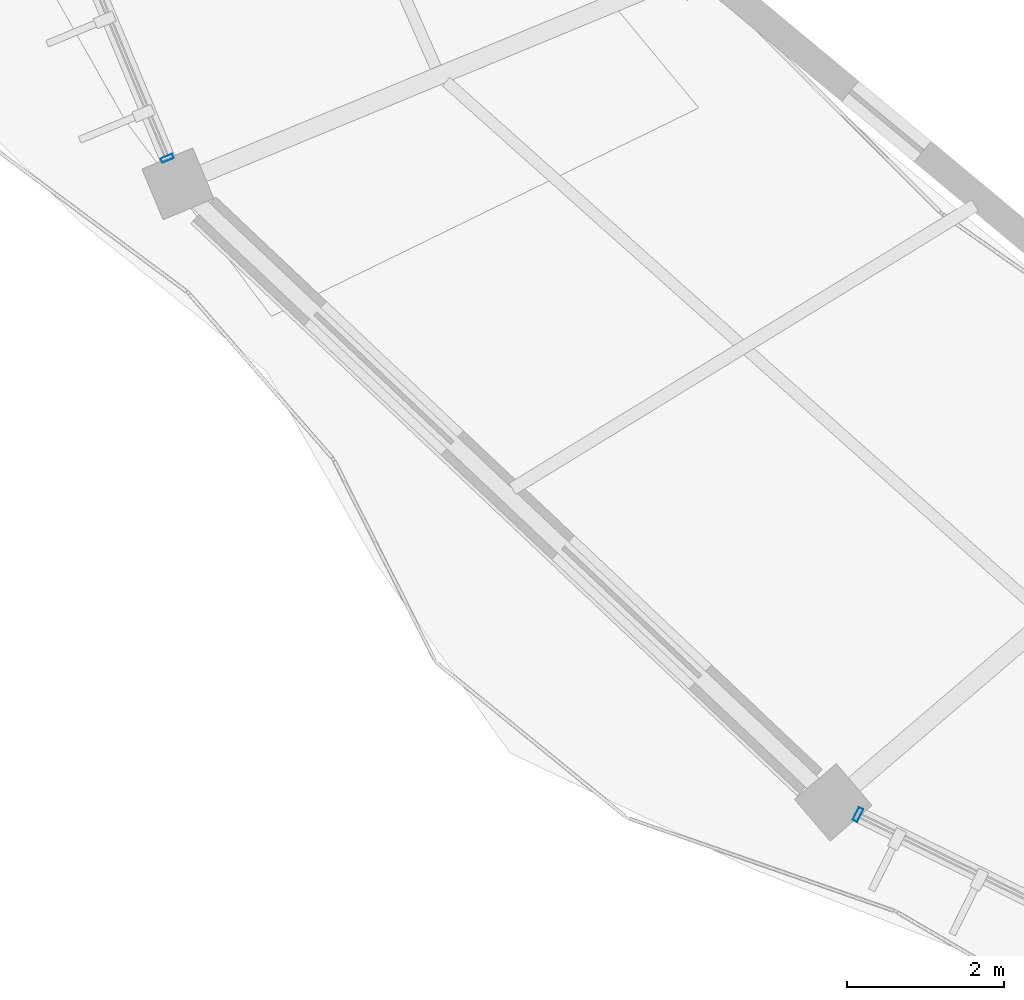
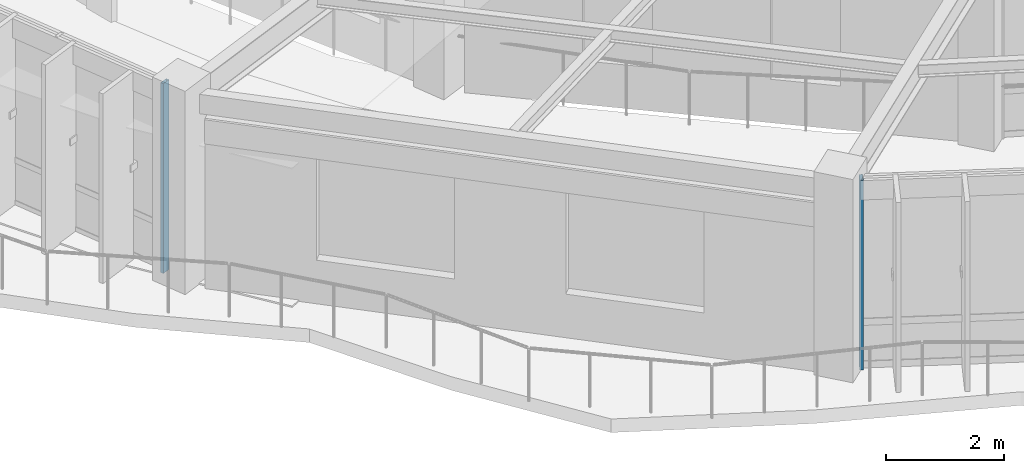
# One storey, part 33 of 138: 2 members, 2 elements without a shape of their own.
"""IFC4 building model written with IfcOpenShell, lengths in metres."""

from ifc_helpers import new_model, si_unit, direction, frame, origin, origin_2d, place, context, subcontext, project, spatial, hollow_rectangle, extrude, material, material_profile, profile_set, type_object, element, aggregate, save


model = new_model("IFC4")

# Units and contexts
model_context = context("Model", 3, precision=1e-05, world=origin(), true_north=direction((0.0, 1.0)))
body_context = subcontext(model_context, "Body", "Model", "MODEL_VIEW")
ifc_project = project(units=[si_unit("LENGTHUNIT", "METRE"), si_unit("AREAUNIT", "SQUARE_METRE"), si_unit("VOLUMEUNIT", "CUBIC_METRE"), si_unit("PLANEANGLEUNIT", "RADIAN"), si_unit("MASSUNIT", "GRAM", prefix="KILO"), si_unit("THERMODYNAMICTEMPERATUREUNIT", "KELVIN"), si_unit("POWERUNIT", "WATT")], contexts=[model_context])

# Site, building, storey
site_placement = place(None, origin())
site = spatial("IfcSite", under=ifc_project, at=site_placement, CompositionType="ELEMENT")
building_placement = place(site_placement, origin())
building = spatial("IfcBuilding", under=site, at=building_placement, Name="Darbajah Civic Hall", CompositionType="ELEMENT")
storey_placement = place(building_placement, frame((0.0, 0.0, 9.60009765625)))
storey = spatial("IfcBuildingStorey", under=building, at=storey_placement, Name="L02", CompositionType="ELEMENT", Elevation=9.60009765625)

# Curtain wall, member
ifc_material_1 = material(Name="Anodised Bronze Aluminium and Low-E Glazing", Category="aluminium")
curtain_wall_type_1 = type_object("IfcCurtainWallType", Name="Unitised Curtain Wall CW-47 9000x3900", PredefinedType="USERDEFINED", material=ifc_material_1)
curtain_wall_1_placement = place(storey_placement, origin())
curtain_wall_1 = element("IfcCurtainWall", 1, at=curtain_wall_1_placement, inside=storey, type_object=curtain_wall_type_1, Name="L02 unitised curtain wall CW-V1O-L02-10", ObjectType="UNITISED CURTAIN WALL", PredefinedType="USERDEFINED")
ifc_material_2 = material(Name="Anodised Bronze Aluminium", Category="aluminium")
ifc_material_profile_1 = material_profile(ifc_material_2, hollow_rectangle(XDim=0.06005859375, YDim=0.159912109375, WallThickness=0.00341796875, at=origin_2d()), Name="ALU MULLION 60x160")
ifc_profile_set_1 = profile_set([ifc_material_profile_1], Name="Anodised Bronze Aluminium")
member_type_1 = type_object("IfcMemberType", Name="ALU MULLION 60x160", PredefinedType="MULLION", material=ifc_profile_set_1)
member_1_placement = place(storey_placement, frame((41.84716796875, 78.8359375, 0.0), z_axis=(0.0, 0.0, 1.0), x_axis=(0.383328328644, -0.923612143954, 0.0)))
member_1 = element("IfcMember", 2, at=member_1_placement, type_object=member_type_1, Name="CW-V1O-L02-10 mullion 5", PredefinedType="MULLION", context=body_context, shape_type="SweptSolid", body=[
    extrude(hollow_rectangle(XDim=0.06005859375, YDim=0.159912109375, WallThickness=0.00341796875, at=origin_2d()), origin(), (0.0, 0.0, 1.0), 3.919921875),
])
aggregate(curtain_wall_1, [member_1])

curtain_wall_type_2 = type_object("IfcCurtainWallType", Name="Unitised Curtain Wall CW-30 12800x3900", PredefinedType="USERDEFINED", material=ifc_material_1)
curtain_wall_2_placement = place(storey_placement, origin())
curtain_wall_2 = element("IfcCurtainWall", 3, at=curtain_wall_2_placement, inside=storey, type_object=curtain_wall_type_2, Name="L02 unitised curtain wall CW-V1O-L02-12", ObjectType="UNITISED CURTAIN WALL", PredefinedType="USERDEFINED")
ifc_material_profile_2 = material_profile(ifc_material_2, hollow_rectangle(XDim=0.06494140625, YDim=0.179931640625, WallThickness=0.00390625, at=origin_2d()), Name="ALU MULLION 65x180")
ifc_profile_set_2 = profile_set([ifc_material_profile_2], Name="Anodised Bronze Aluminium")
member_type_2 = type_object("IfcMemberType", Name="ALU MULLION 65x180", PredefinedType="MULLION", material=ifc_profile_set_2)
member_2_placement = place(storey_placement, frame((50.635009765625, 70.4853515625, 0.0), z_axis=(0.0, 0.0, 1.0), x_axis=(0.89656374724, -0.442914717678, 0.0)))
member_2 = element("IfcMember", 4, at=member_2_placement, type_object=member_type_2, Name="CW-V1O-L02-12 mullion 1", PredefinedType="MULLION", context=body_context, shape_type="SweptSolid", body=[
    extrude(hollow_rectangle(XDim=0.06494140625, YDim=0.179931640625, WallThickness=0.00390625, at=origin_2d()), origin(), (0.0, 0.0, 1.0), 3.919921875),
])
aggregate(curtain_wall_2, [member_2])

save(model, "model.ifc")
